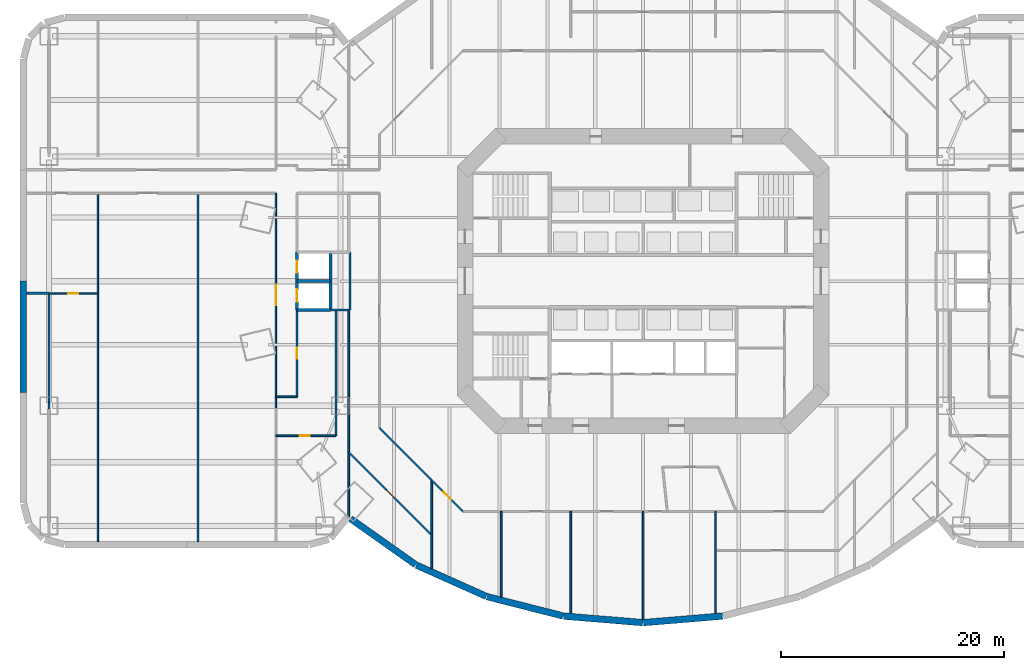
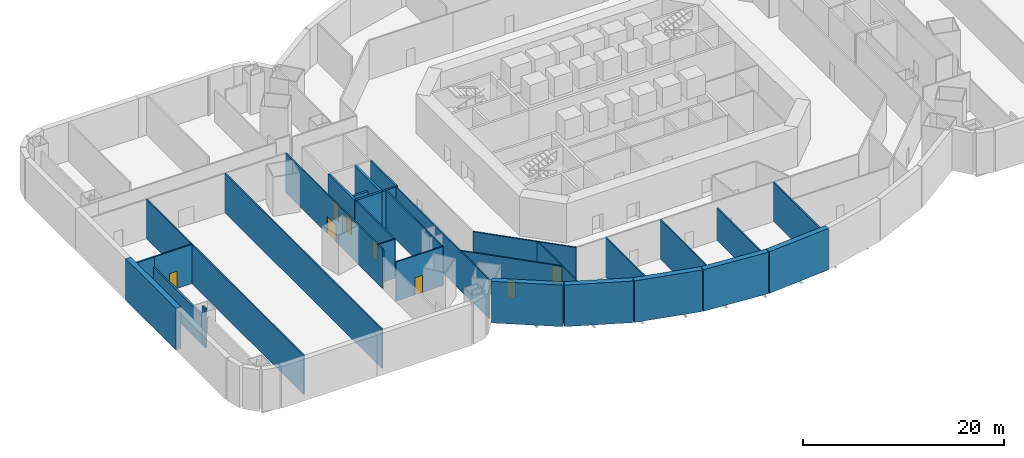
# One storey, part 3 of 11: 32 walls, 8 doors, 8 openings.
"""IFC4 building model written with IfcOpenShell, lengths in metres."""

from ifc_helpers import new_model, si_unit, direction, frame, frame_2d, origin, place, context, subcontext, project, spatial, rectangle, extrude, material, layer, layer_set, type_object, element, fill, save


model = new_model("IFC4")

# Units and contexts
model_context = context("Model", 3, precision=1e-05, world=origin(), true_north=direction((0.0, 1.0)))
body_context = subcontext(model_context, "Body", "Model", "MODEL_VIEW")
ifc_project = project(units=[si_unit("LENGTHUNIT", "METRE"), si_unit("AREAUNIT", "SQUARE_METRE"), si_unit("VOLUMEUNIT", "CUBIC_METRE"), si_unit("PLANEANGLEUNIT", "RADIAN"), si_unit("MASSUNIT", "GRAM", prefix="KILO")], contexts=[model_context])

# Site, building, storey
site_placement = place(None, origin())
site = spatial("IfcSite", under=ifc_project, at=site_placement, CompositionType="ELEMENT")
building_placement = place(site_placement, origin())
building = spatial("IfcBuilding", under=site, at=building_placement, Name="Marenthal Gate Tower", CompositionType="ELEMENT")
storey_placement = place(building_placement, frame((0.0, 0.0, -5.0)))
storey = spatial("IfcBuildingStorey", under=building, at=storey_placement, Name="B1", CompositionType="ELEMENT", Elevation=-5.0)

# Walls
ifc_material_1 = material(Name="Concrete 50 MPa", Category="concrete")
ifc_layer_1 = layer(ifc_material_1, 0.60009765625)
ifc_layer_set_1 = layer_set([ifc_layer_1], Name="BASEMENT WALL 600")
wall_type_1 = type_object("IfcWallType", Name="BASEMENT WALL 600", PredefinedType="SOLIDWALL", material=ifc_layer_set_1)
wall_1_placement = place(storey_placement, frame((-26.287841796875, -21.361083984375, -0.300048828125), z_axis=(0.0, 0.0, 1.0), x_axis=(0.816760146212, -0.576977350994, 0.0)))
element("IfcWall", 1, at=wall_1_placement, inside=storey, type_object=wall_type_1, Name="BW-B1-01", PredefinedType="SOLIDWALL", context=body_context, shape_type="SweptSolid", body=[
    extrude(rectangle(XDim=7.16796875, YDim=0.60009765625, at=frame_2d((3.583984375, 0.0))), origin(), (0.0, 0.0, 1.0), 5.050048828125),
])
wall_2_placement = place(storey_placement, frame((-20.384521484375, -25.52490234375, -0.300048828125), z_axis=(0.0, 0.0, 1.0), x_axis=(0.912664491664, -0.408709585959, 0.0)))
element("IfcWall", 2, at=wall_2_placement, inside=storey, type_object=wall_type_1, Name="BW-B1-02", PredefinedType="SOLIDWALL", context=body_context, shape_type="SweptSolid", body=[
    extrude(rectangle(XDim=6.90283203125, YDim=0.60009765625, at=frame_2d((3.451416015625, 0.0))), origin(), (0.0, 0.0, 1.0), 5.050048828125),
])
wall_3_placement = place(storey_placement, frame((-14.037353515625, -28.36279296875, -0.300048828125), z_axis=(0.0, 0.0, 1.0), x_axis=(0.96919567172, -0.246292001332, 0.0)))
element("IfcWall", 3, at=wall_3_placement, inside=storey, type_object=wall_type_1, Name="BW-B1-03", PredefinedType="SOLIDWALL", context=body_context, shape_type="SweptSolid", body=[
    extrude(rectangle(XDim=7.061767578125, YDim=0.60009765625, at=frame_2d((3.53076171875, 0.0))), origin(), (0.0, 0.0, 1.0), 5.050048828125),
])
wall_4_placement = place(storey_placement, frame((-7.1455078125, -30.110107421875, -0.300048828125), z_axis=(0.0, 0.0, 1.0), x_axis=(0.996609324414, -0.082279125491, 0.0)))
element("IfcWall", 4, at=wall_4_placement, inside=storey, type_object=wall_type_1, Name="BW-B1-04", PredefinedType="SOLIDWALL", context=body_context, shape_type="SweptSolid", body=[
    extrude(rectangle(XDim=7.14501953125, YDim=0.60009765625, at=frame_2d((3.572509765625, 0.0))), origin(), (0.0, 0.0, 1.0), 5.050048828125),
])
wall_5_placement = place(storey_placement, frame((0.02294921875, -30.697998046875, -0.300048828125), z_axis=(0.0, 0.0, 1.0), x_axis=(0.99661235683, 0.082242386961, 0.0)))
element("IfcWall", 5, at=wall_5_placement, inside=storey, type_object=wall_type_1, Name="BW-B1-05", PredefinedType="SOLIDWALL", context=body_context, shape_type="SweptSolid", body=[
    extrude(rectangle(XDim=7.145263671875, YDim=0.60009765625, at=frame_2d((3.57275390625, 0.0))), origin(), (0.0, 0.0, 1.0), 5.050048828125),
])
wall_6_placement = place(storey_placement, frame((-55.699951171875, -0.00048828125, -0.300048828125), z_axis=(0.0, 0.0, 1.0), x_axis=(0.0, -1.0, 0.0)))
element("IfcWall", 6, at=wall_6_placement, inside=storey, type_object=wall_type_1, Name="BW-B1-44", PredefinedType="SOLIDWALL", context=body_context, shape_type="SweptSolid", body=[
    extrude(rectangle(XDim=9.98974609375, YDim=0.60009765625, at=frame_2d((4.994873046875, 0.0))), origin(), (0.0, 0.0, 1.0), 5.050048828125),
])
ifc_material_2 = material(Name="Concrete 40 MPa", Category="concrete")
ifc_layer_2 = layer(ifc_material_2, 0.25)
ifc_layer_set_2 = layer_set([ifc_layer_2], Name="Hoistway wall 250")
wall_type_2 = type_object("IfcWallType", Name="Hoistway wall 250", PredefinedType="STANDARD", material=ifc_layer_set_2)
wall_7_placement = place(storey_placement, frame((-31.10009765625, -2.60009765625, 0.0), z_axis=(0.0, 0.0, 1.0), x_axis=(1.0, 0.0, 0.0)))
element("IfcWall", 7, at=wall_7_placement, inside=storey, type_object=wall_type_2, Name="Hoistway wall 47", PredefinedType="STANDARD", context=body_context, shape_type="SweptSolid", body=[
    extrude(rectangle(XDim=3.0, YDim=0.25, at=frame_2d((1.5, 0.0))), origin(), (0.0, 0.0, 1.0), 4.75),
])
wall_8_placement = place(storey_placement, frame((-31.10009765625, 0.0, 0.0), z_axis=(0.0, 0.0, 1.0), x_axis=(1.0, 0.0, 0.0)))
element("IfcWall", 8, at=wall_8_placement, inside=storey, type_object=wall_type_2, Name="Hoistway wall 49", PredefinedType="STANDARD", context=body_context, shape_type="SweptSolid", body=[
    extrude(rectangle(XDim=3.0, YDim=0.25, at=frame_2d((1.5, 0.0))), origin(), (0.0, 0.0, 1.0), 3.25),
])
wall_9_placement = place(storey_placement, frame((-28.10009765625, -2.60009765625, 0.0), z_axis=(0.0, 0.0, 1.0), x_axis=(0.0, 1.0, 0.0)))
element("IfcWall", 9, at=wall_9_placement, inside=storey, type_object=wall_type_2, Name="Hoistway wall 55", PredefinedType="STANDARD", context=body_context, shape_type="SweptSolid", body=[
    extrude(rectangle(XDim=5.2001953125, YDim=0.25, at=frame_2d((2.60009765625, 0.0))), origin(), (0.0, 0.0, 1.0), 4.75),
])

# Wall, openings, doors
wall_10_placement = place(storey_placement, frame((-31.10009765625, -2.60498046875, 0.0), z_axis=(0.0, 0.0, 1.0), x_axis=(0.0, 1.0, 0.0)))
wall_10 = element("IfcWall", 10, at=wall_10_placement, inside=storey, type_object=wall_type_2, Name="Hoistway wall 56", PredefinedType="STANDARD", context=body_context, shape_type="SweptSolid", body=[
    extrude(rectangle(XDim=5.2099609375, YDim=0.25, at=frame_2d((2.60498046875, 0.0))), origin(), (0.0, 0.0, 1.0), 4.75),
])
opening_1_placement = place(wall_10_placement, frame((0.7548828125, 0.0, 0.0)))
opening_1 = element("IfcOpeningElement", 11, at=opening_1_placement, cuts=wall_10, Name="Opening LD.03", PredefinedType="OPENING", context=body_context, shape_type="SweptSolid", body=[
    extrude(rectangle(XDim=1.10009765625, YDim=2.10009765625, at=frame_2d((0.550048828125, 1.050048828125))), frame((0.0, 0.135009765625, 0.0), z_axis=(0.0, -1.0, 0.0), x_axis=(1.0, 0.0, 0.0)), (0.0, 0.0, 1.0), 0.27001953125),
])
opening_2_placement = place(wall_10_placement, frame((3.35498046875, 0.0, 0.0)))
opening_2 = element("IfcOpeningElement", 12, at=opening_2_placement, cuts=wall_10, Name="Opening LD.04", PredefinedType="OPENING", context=body_context, shape_type="SweptSolid", body=[
    extrude(rectangle(XDim=1.10009765625, YDim=2.10009765625, at=frame_2d((0.550048828125, 1.050048828125))), frame((0.0, 0.135009765625, 0.0), z_axis=(0.0, -1.0, 0.0), x_axis=(1.0, 0.0, 0.0)), (0.0, 0.0, 1.0), 0.27001953125),
])
ifc_material_3 = material(Name="Stainless steel sliding door", Category="steel")
door_type_1 = type_object("IfcDoorType", Name="Lift landing door FD 90 1100 x 2100", OperationType="DOUBLE_DOOR_SLIDING", PredefinedType="DOOR", material=ifc_material_3)
door_1_placement = place(opening_1_placement, origin())
door_1 = element("IfcDoor", 13, at=door_1_placement, inside=storey, type_object=door_type_1, Name="Lift landing door 03", OperationType="DOUBLE_DOOR_SLIDING", OverallHeight=2.10009765625, OverallWidth=1.10009765625, PredefinedType="DOOR", context=body_context, shape_type="SweptSolid", body=[
    extrude(rectangle(XDim=1.10009765625, YDim=2.10009765625, at=frame_2d((0.550048828125, 1.050048828125))), frame((0.0, 0.02490234375, 0.0), z_axis=(0.0, -1.0, 0.0), x_axis=(1.0, 0.0, 0.0)), (0.0, 0.0, 1.0), 0.050048828125),
])
fill(opening_1, door_1)
door_2_placement = place(opening_2_placement, origin())
door_2 = element("IfcDoor", 14, at=door_2_placement, inside=storey, type_object=door_type_1, Name="Lift landing door 04", OperationType="DOUBLE_DOOR_SLIDING", OverallHeight=2.10009765625, OverallWidth=1.10009765625, PredefinedType="DOOR", context=body_context, shape_type="SweptSolid", body=[
    extrude(rectangle(XDim=1.10009765625, YDim=2.10009765625, at=frame_2d((0.550048828125, 1.050048828125))), frame((0.0, 0.02490234375, 0.0), z_axis=(0.0, -1.0, 0.0), x_axis=(1.0, 0.0, 0.0)), (0.0, 0.0, 1.0), 0.050048828125),
])
fill(opening_2, door_2)

# Wall, opening, door
ifc_material_4 = material(Name="Gypsum board on steel studs", Category="steel")
ifc_layer_3 = layer(ifc_material_4, 0.14990234375)
ifc_layer_set_3 = layer_set([ifc_layer_3], Name="Partition 150")
wall_type_3 = type_object("IfcWallType", Name="Partition 150", PredefinedType="PARTITIONING", material=ifc_layer_set_3)
wall_11_placement = place(storey_placement, frame((-53.405029296875, -1.10009765625, 0.0), z_axis=(0.0, 0.0, 1.0), x_axis=(1.0, 0.0, 0.0)))
wall_11 = element("IfcWall", 15, at=wall_11_placement, inside=storey, type_object=wall_type_3, Name="Partition wall 57", PredefinedType="PARTITIONING", context=body_context, shape_type="SweptSolid", body=[
    extrude(rectangle(XDim=4.405029296875, YDim=0.14990234375, at=frame_2d((2.20263671875, 0.0))), origin(), (0.0, 0.0, 1.0), 4.75),
])
opening_3_placement = place(wall_11_placement, frame((1.7548828125, 0.0, 0.0)))
opening_3 = element("IfcOpeningElement", 16, at=opening_3_placement, cuts=wall_11, Name="Opening D010.01", PredefinedType="OPENING", context=body_context, shape_type="SweptSolid", body=[
    extrude(rectangle(XDim=0.89990234375, YDim=2.10009765625, at=frame_2d((0.449951171875, 1.050048828125))), frame((0.0, 0.0849609375, 0.0), z_axis=(0.0, -1.0, 0.0), x_axis=(1.0, 0.0, 0.0)), (0.0, 0.0, 1.0), 0.169921875),
])
ifc_material_5 = material(Name="Steel fire door", Category="steel")
door_type_2 = type_object("IfcDoorType", Name="Fire door FD 45 900 x 2100", OperationType="NOTDEFINED", PredefinedType="DOOR", material=ifc_material_5)
door_3_placement = place(opening_3_placement, origin())
door_3 = element("IfcDoor", 17, at=door_3_placement, inside=storey, type_object=door_type_2, Name="Door D010.01", OperationType="SINGLE_SWING_RIGHT", OverallHeight=2.10009765625, OverallWidth=0.89990234375, PredefinedType="DOOR", context=body_context, shape_type="SweptSolid", body=[
    extrude(rectangle(XDim=0.89990234375, YDim=2.10009765625, at=frame_2d((0.449951171875, 1.050048828125))), frame((0.0, 0.02490234375, 0.0), z_axis=(0.0, -1.0, 0.0), x_axis=(1.0, 0.0, 0.0)), (0.0, 0.0, 1.0), 0.050048828125),
])
fill(opening_3, door_3)

wall_12_placement = place(storey_placement, frame((-33.0, -11.43994140625, 0.0), z_axis=(0.0, 0.0, 1.0), x_axis=(0.0, 1.0, 0.0)))
wall_12 = element("IfcWall", 18, at=wall_12_placement, inside=storey, type_object=wall_type_3, Name="Partition wall 156", PredefinedType="PARTITIONING", context=body_context, shape_type="SweptSolid", body=[
    extrude(rectangle(XDim=19.344970703125, YDim=0.14990234375, at=frame_2d((9.67236328125, 0.0))), origin(), (0.0, 0.0, 1.0), 4.75),
])
opening_4_placement = place(wall_12_placement, frame((9.2900390625, 0.0, 0.0)))
opening_4 = element("IfcOpeningElement", 19, at=opening_4_placement, cuts=wall_12, Name="Opening D007.02", PredefinedType="OPENING", context=body_context, shape_type="SweptSolid", body=[
    extrude(rectangle(XDim=1.800048828125, YDim=2.10009765625, at=frame_2d((0.89990234375, 1.050048828125))), frame((0.0, 0.0849609375, 0.0), z_axis=(0.0, -1.0, 0.0), x_axis=(1.0, 0.0, 0.0)), (0.0, 0.0, 1.0), 0.169921875),
])
ifc_material_6 = material(Name="Steel fire door", Category="steel")
door_type_3 = type_object("IfcDoorType", Name="Double fire door FD 45 1800 x 2100", OperationType="DOUBLE_DOOR_SINGLE_SWING", PredefinedType="DOOR", material=ifc_material_6)
door_4_placement = place(opening_4_placement, origin())
door_4 = element("IfcDoor", 20, at=door_4_placement, inside=storey, type_object=door_type_3, Name="Door D007.02", OperationType="DOUBLE_DOOR_SINGLE_SWING", OverallHeight=2.10009765625, OverallWidth=1.800048828125, PredefinedType="DOOR", context=body_context, shape_type="SweptSolid", body=[
    extrude(rectangle(XDim=1.800048828125, YDim=2.10009765625, at=frame_2d((0.89990234375, 1.050048828125))), frame((0.0, 0.02490234375, 0.0), z_axis=(0.0, -1.0, 0.0), x_axis=(1.0, 0.0, 0.0)), (0.0, 0.0, 1.0), 0.050048828125),
])
fill(opening_4, door_4)

# Walls
for number, where, z_axis, x_axis, name in (
    (21, (-40.0, -23.409912109375, 0.0), (0.0, 0.0, 1.0), (0.0, 1.0, 0.0), "Partition wall 75"),
    (22, (-49.0, -23.409912109375, 0.0), (0.0, 0.0, 1.0), (0.0, 1.0, 0.0), "Partition wall 77"),
):
    element("IfcWall", number, at=place(storey_placement, frame(where, z_axis=z_axis, x_axis=x_axis)), inside=storey, type_object=wall_type_3, Name=name, PredefinedType="PARTITIONING", context=body_context, shape_type="SweptSolid", body=[
        extrude(rectangle(XDim=31.309814453125, YDim=0.14990234375, at=frame_2d((15.65478515625, 0.0))), origin(), (0.0, 0.0, 1.0), 4.75),
    ])

# Wall, opening, door
wall_13_placement = place(storey_placement, frame((-33.0, -13.89990234375, 0.0), z_axis=(0.0, 0.0, 1.0), x_axis=(1.0, 0.0, 0.0)))
wall_13 = element("IfcWall", 23, at=wall_13_placement, inside=storey, type_object=wall_type_3, Name="Partition wall 81", PredefinedType="PARTITIONING", context=body_context, shape_type="SweptSolid", body=[
    extrude(rectangle(XDim=5.39990234375, YDim=0.14990234375, at=frame_2d((2.699951171875, 0.0))), origin(), (0.0, 0.0, 1.0), 4.75),
])
opening_5_placement = place(wall_13_placement, frame((2.14990234375, 0.0, 0.0)))
opening_5 = element("IfcOpeningElement", 24, at=opening_5_placement, cuts=wall_13, Name="Opening D011.01", PredefinedType="OPENING", context=body_context, shape_type="SweptSolid", body=[
    extrude(rectangle(XDim=0.89990234375, YDim=2.10009765625, at=frame_2d((0.449951171875, 1.050048828125))), frame((0.0, 0.0849609375, 0.0), z_axis=(0.0, -1.0, 0.0), x_axis=(1.0, 0.0, 0.0)), (0.0, 0.0, 1.0), 0.169921875),
])
ifc_material_7 = material(Name="Timber door", Category="wood")
door_type_4 = type_object("IfcDoorType", Name="Door 900 x 2100", OperationType="NOTDEFINED", PredefinedType="DOOR", material=ifc_material_7)
door_5_placement = place(opening_5_placement, origin())
door_5 = element("IfcDoor", 25, at=door_5_placement, inside=storey, type_object=door_type_4, Name="Door D011.01", OperationType="SINGLE_SWING_RIGHT", OverallHeight=2.10009765625, OverallWidth=0.89990234375, PredefinedType="DOOR", context=body_context, shape_type="SweptSolid", body=[
    extrude(rectangle(XDim=0.89990234375, YDim=2.10009765625, at=frame_2d((0.449951171875, 1.050048828125))), frame((0.0, 0.02490234375, 0.0), z_axis=(0.0, -1.0, 0.0), x_axis=(1.0, 0.0, 0.0)), (0.0, 0.0, 1.0), 0.050048828125),
])
fill(opening_5, door_5)

# Walls
wall_14_placement = place(storey_placement, frame((-33.0, -10.39990234375, 0.0), z_axis=(0.0, 0.0, 1.0), x_axis=(1.0, 0.0, 0.0)))
element("IfcWall", 26, at=wall_14_placement, inside=storey, type_object=wall_type_3, Name="Partition wall 83", PredefinedType="PARTITIONING", context=body_context, shape_type="SweptSolid", body=[
    extrude(rectangle(XDim=1.89990234375, YDim=0.14990234375, at=frame_2d((0.949951171875, 0.0))), origin(), (0.0, 0.0, 1.0), 4.75),
])
wall_15_placement = place(storey_placement, frame((-26.449951171875, -21.222412109375, 0.0), z_axis=(0.0, 0.0, 1.0), x_axis=(0.0, 1.0, 0.0)))
element("IfcWall", 27, at=wall_15_placement, inside=storey, type_object=wall_type_3, Name="Partition wall 09", PredefinedType="PARTITIONING", context=body_context, shape_type="SweptSolid", body=[
    extrude(rectangle(XDim=18.622314453125, YDim=0.14990234375, at=frame_2d((9.31103515625, 0.0))), origin(), (0.0, 0.0, 1.0), 4.75),
])
wall_16_placement = place(storey_placement, frame((-27.60009765625, -13.89990234375, 0.0), z_axis=(0.0, 0.0, 1.0), x_axis=(0.0, 1.0, 0.0)))
element("IfcWall", 28, at=wall_16_placement, inside=storey, type_object=wall_type_3, Name="Partition wall 10", PredefinedType="PARTITIONING", context=body_context, shape_type="SweptSolid", body=[
    extrude(rectangle(XDim=11.2998046875, YDim=0.14990234375, at=frame_2d((5.64990234375, 0.0))), origin(), (0.0, 0.0, 1.0), 4.75),
])

# Wall, opening, door
wall_17_placement = place(storey_placement, frame((-31.10009765625, -10.39990234375, 0.0), z_axis=(0.0, 0.0, 1.0), x_axis=(0.0, 1.0, 0.0)))
wall_17 = element("IfcWall", 29, at=wall_17_placement, inside=storey, type_object=wall_type_3, Name="Partition wall 11", PredefinedType="PARTITIONING", context=body_context, shape_type="SweptSolid", body=[
    extrude(rectangle(XDim=7.804931640625, YDim=0.14990234375, at=frame_2d((3.90234375, 0.0))), origin(), (0.0, 0.0, 1.0), 4.75),
])
opening_6_placement = place(wall_17_placement, frame((3.39990234375, 0.0, 0.0)))
opening_6 = element("IfcOpeningElement", 30, at=opening_6_placement, cuts=wall_17, Name="Opening D012.01", PredefinedType="OPENING", context=body_context, shape_type="SweptSolid", body=[
    extrude(rectangle(XDim=1.0, YDim=2.10009765625, at=frame_2d((0.5, 1.050048828125))), frame((0.0, 0.0849609375, 0.0), z_axis=(0.0, -1.0, 0.0), x_axis=(1.0, 0.0, 0.0)), (0.0, 0.0, 1.0), 0.169921875),
])
ifc_material_8 = material(Name="Timber door", Category="wood")
door_type_5 = type_object("IfcDoorType", Name="Door 1000 x 2100", OperationType="NOTDEFINED", PredefinedType="DOOR", material=ifc_material_8)
door_6_placement = place(opening_6_placement, frame((1.0, 0.0, 0.0), z_axis=(0.0, 0.0, 1.0), x_axis=(-1.0, 0.0, 0.0)))
door_6 = element("IfcDoor", 31, at=door_6_placement, inside=storey, type_object=door_type_5, Name="Door D012.01", OperationType="SINGLE_SWING_LEFT", OverallHeight=2.10009765625, OverallWidth=1.0, PredefinedType="DOOR", context=body_context, shape_type="SweptSolid", body=[
    extrude(rectangle(XDim=1.0, YDim=2.10009765625, at=frame_2d((0.5, 1.050048828125))), frame((0.0, 0.02490234375, 0.0), z_axis=(0.0, -1.0, 0.0), x_axis=(1.0, 0.0, 0.0)), (0.0, 0.0, 1.0), 0.050048828125),
])
fill(opening_6, door_6)

# Wall
wall_18_placement = place(storey_placement, frame((-18.9951171875, -17.894287109375, 0.0), z_axis=(0.0, 0.0, 1.0), x_axis=(-0.707106781187, 0.707106781187, 0.0)))
element("IfcWall", 32, at=wall_18_placement, inside=storey, type_object=wall_type_3, Name="Partition wall 14", PredefinedType="PARTITIONING", context=body_context, shape_type="SweptSolid", body=[
    extrude(rectangle(XDim=6.653564453125, YDim=0.14990234375, at=frame_2d((3.32666015625, 0.0))), origin(), (0.0, 0.0, 1.0), 4.75),
])

# Wall, opening, door
wall_19_placement = place(storey_placement, frame((-19.0, -22.839111328125, 0.0), z_axis=(0.0, 0.0, 1.0), x_axis=(-0.707106781187, 0.707106781187, 0.0)))
wall_19 = element("IfcWall", 33, at=wall_19_placement, inside=storey, type_object=wall_type_3, Name="Partition wall 15", PredefinedType="PARTITIONING", context=body_context, shape_type="SweptSolid", body=[
    extrude(rectangle(XDim=10.535888671875, YDim=0.14990234375, at=frame_2d((5.26806640625, 0.0))), origin(), (0.0, 0.0, 1.0), 4.75),
])
opening_7_placement = place(wall_19_placement, frame((4.81787109375, 0.0, 0.0)))
opening_7 = element("IfcOpeningElement", 34, at=opening_7_placement, cuts=wall_19, Name="Opening D011.02", PredefinedType="OPENING", context=body_context, shape_type="SweptSolid", body=[
    extrude(rectangle(XDim=0.89990234375, YDim=2.10009765625, at=frame_2d((0.449951171875, 1.050048828125))), frame((0.0, 0.0849609375, 0.0), z_axis=(0.0, -1.0, 0.0), x_axis=(1.0, 0.0, 0.0)), (0.0, 0.0, 1.0), 0.169921875),
])
door_7_placement = place(opening_7_placement, origin())
door_7 = element("IfcDoor", 35, at=door_7_placement, inside=storey, type_object=door_type_4, Name="Door D011.02", OperationType="SINGLE_SWING_RIGHT", OverallHeight=2.10009765625, OverallWidth=0.89990234375, PredefinedType="DOOR", context=body_context, shape_type="SweptSolid", body=[
    extrude(rectangle(XDim=0.89990234375, YDim=2.10009765625, at=frame_2d((0.449951171875, 1.050048828125))), frame((0.0, 0.02490234375, 0.0), z_axis=(0.0, -1.0, 0.0), x_axis=(1.0, 0.0, 0.0)), (0.0, 0.0, 1.0), 0.050048828125),
])
fill(opening_7, door_7)

# Walls
ifc_material_9 = material(Name="Gypsum board on steel studs", Category="steel")
ifc_layer_4 = layer(ifc_material_9, 0.199951171875)
ifc_layer_set_4 = layer_set([ifc_layer_4], Name="Partition 200")
wall_type_4 = type_object("IfcWallType", Name="Partition 200", PredefinedType="PARTITIONING", material=ifc_layer_set_4)
wall_20_placement = place(storey_placement, frame((-28.10009765625, -2.60009765625, 0.0), z_axis=(0.0, 0.0, 1.0), x_axis=(1.0, 0.0, 0.0)))
element("IfcWall", 36, at=wall_20_placement, inside=storey, type_object=wall_type_4, Name="Partition wall 18", PredefinedType="PARTITIONING", context=body_context, shape_type="SweptSolid", body=[
    extrude(rectangle(XDim=1.77001953125, YDim=0.199951171875, at=frame_2d((0.885009765625, 0.0))), origin(), (0.0, 0.0, 1.0), 4.75),
])
wall_21_placement = place(storey_placement, frame((-55.409912109375, -1.10009765625, 0.0), z_axis=(0.0, 0.0, 1.0), x_axis=(1.0, 0.0, 0.0)))
element("IfcWall", 37, at=wall_21_placement, inside=storey, type_object=wall_type_4, Name="Partition wall 20", PredefinedType="PARTITIONING", context=body_context, shape_type="SweptSolid", body=[
    extrude(rectangle(XDim=2.014892578125, YDim=0.199951171875, at=frame_2d((1.00732421875, 0.0))), origin(), (0.0, 0.0, 1.0), 4.75),
])
wall_22_placement = place(storey_placement, frame((-26.330078125, -2.60009765625, 0.0), z_axis=(0.0, 0.0, 1.0), x_axis=(0.0, 1.0, 0.0)))
element("IfcWall", 38, at=wall_22_placement, inside=storey, type_object=wall_type_4, Name="Partition wall 38", PredefinedType="PARTITIONING", context=body_context, shape_type="SweptSolid", body=[
    extrude(rectangle(XDim=5.2001953125, YDim=0.199951171875, at=frame_2d((2.60009765625, 0.0))), origin(), (0.0, 0.0, 1.0), 4.75),
])
wall_23_placement = place(storey_placement, frame((-53.39990234375, -11.5, 0.0), z_axis=(0.0, 0.0, 1.0), x_axis=(0.0, 1.0, 0.0)))
element("IfcWall", 39, at=wall_23_placement, inside=storey, type_object=wall_type_4, Name="Partition wall 169", PredefinedType="PARTITIONING", context=body_context, shape_type="SweptSolid", body=[
    extrude(rectangle(XDim=0.60009765625, YDim=0.199951171875, at=frame_2d((0.300048828125, 0.0))), origin(), (0.0, 0.0, 1.0), 4.75),
])
wall_24_placement = place(storey_placement, frame((-53.39990234375, -10.89990234375, 0.0), z_axis=(0.0, 0.0, 1.0), x_axis=(0.0, 1.0, 0.0)))
element("IfcWall", 40, at=wall_24_placement, inside=storey, type_object=wall_type_4, Name="Partition wall 170", PredefinedType="PARTITIONING", context=body_context, shape_type="SweptSolid", body=[
    extrude(rectangle(XDim=9.7998046875, YDim=0.199951171875, at=frame_2d((4.89990234375, 0.0))), origin(), (0.0, 0.0, 1.0), 3.550048828125),
])
ifc_material_10 = material(Name="Gypsum board on steel studs", Category="steel")
ifc_layer_5 = layer(ifc_material_10, 0.14990234375)
ifc_layer_set_5 = layer_set([ifc_layer_5], Name="Wet room partition 150")
wall_type_5 = type_object("IfcWallType", Name="Wet room partition 150", PredefinedType="PARTITIONING", material=ifc_layer_set_5)
wall_25_placement = place(storey_placement, frame((6.5, -29.87109375, 0.0), z_axis=(0.0, 0.0, 1.0), x_axis=(0.0, 1.0, 0.0)))
element("IfcWall", 41, at=wall_25_placement, inside=storey, type_object=wall_type_5, Name="Wet wall 47", PredefinedType="PARTITIONING", context=body_context, shape_type="SweptSolid", body=[
    extrude(rectangle(XDim=9.171142578125, YDim=0.14990234375, at=frame_2d((4.58544921875, 0.0))), origin(), (0.0, 0.0, 1.0), 4.75),
])
wall_26_placement = place(storey_placement, frame((0.0, -30.409912109375, 0.0), z_axis=(0.0, 0.0, 1.0), x_axis=(0.0, 1.0, 0.0)))
element("IfcWall", 42, at=wall_26_placement, inside=storey, type_object=wall_type_5, Name="Wet wall 48", PredefinedType="PARTITIONING", context=body_context, shape_type="SweptSolid", body=[
    extrude(rectangle(XDim=9.7099609375, YDim=0.14990234375, at=frame_2d((4.85498046875, 0.0))), origin(), (0.0, 0.0, 1.0), 3.908935546875),
])
wall_27_placement = place(storey_placement, frame((-6.5, -29.87109375, 0.0), z_axis=(0.0, 0.0, 1.0), x_axis=(0.0, 1.0, 0.0)))
element("IfcWall", 43, at=wall_27_placement, inside=storey, type_object=wall_type_5, Name="Wet wall 49", PredefinedType="PARTITIONING", context=body_context, shape_type="SweptSolid", body=[
    extrude(rectangle(XDim=9.171142578125, YDim=0.14990234375, at=frame_2d((4.58544921875, 0.0))), origin(), (0.0, 0.0, 1.0), 4.75),
])
wall_28_placement = place(storey_placement, frame((-12.75, -28.3994140625, 0.0), z_axis=(0.0, 0.0, 1.0), x_axis=(0.0, 1.0, 0.0)))
element("IfcWall", 44, at=wall_28_placement, inside=storey, type_object=wall_type_5, Name="Wet wall 50", PredefinedType="PARTITIONING", context=body_context, shape_type="SweptSolid", body=[
    extrude(rectangle(XDim=7.699462890625, YDim=0.14990234375, at=frame_2d((3.849609375, 0.0))), origin(), (0.0, 0.0, 1.0), 4.75),
])
wall_29_placement = place(storey_placement, frame((-19.0, -25.835205078125, 0.0), z_axis=(0.0, 0.0, 1.0), x_axis=(0.0, 1.0, 0.0)))
element("IfcWall", 45, at=wall_29_placement, inside=storey, type_object=wall_type_5, Name="Wet wall 51", PredefinedType="PARTITIONING", context=body_context, shape_type="SweptSolid", body=[
    extrude(rectangle(XDim=7.94580078125, YDim=0.14990234375, at=frame_2d((3.972900390625, 0.0))), origin(), (0.0, 0.0, 1.0), 4.75),
])

# Wall, opening, door
wall_30_placement = place(storey_placement, frame((-16.189453125, -20.699951171875, 0.0), z_axis=(0.0, 0.0, 1.0), x_axis=(-0.707106781187, 0.707106781187, 0.0)))
wall_30 = element("IfcWall", 46, at=wall_30_placement, inside=storey, type_object=wall_type_5, Name="Wet wall 54", PredefinedType="PARTITIONING", context=body_context, shape_type="SweptSolid", body=[
    extrude(rectangle(XDim=3.9794921875, YDim=0.14990234375, at=frame_2d((1.98974609375, 0.0))), origin(), (0.0, 0.0, 1.0), 4.75),
])
opening_8_placement = place(wall_30_placement, frame((1.4873046875, 0.0, 0.0)))
opening_8 = element("IfcOpeningElement", 47, at=opening_8_placement, cuts=wall_30, Name="Opening D012.03", PredefinedType="OPENING", context=body_context, shape_type="SweptSolid", body=[
    extrude(rectangle(XDim=1.0, YDim=2.10009765625, at=frame_2d((0.5, 1.050048828125))), frame((0.0, 0.0849609375, 0.0), z_axis=(0.0, -1.0, 0.0), x_axis=(1.0, 0.0, 0.0)), (0.0, 0.0, 1.0), 0.169921875),
])
door_8_placement = place(opening_8_placement, origin())
door_8 = element("IfcDoor", 48, at=door_8_placement, inside=storey, type_object=door_type_5, Name="Door D012.03", OperationType="SINGLE_SWING_RIGHT", OverallHeight=2.10009765625, OverallWidth=1.0, PredefinedType="DOOR", context=body_context, shape_type="SweptSolid", body=[
    extrude(rectangle(XDim=1.0, YDim=2.10009765625, at=frame_2d((0.5, 1.050048828125))), frame((0.0, 0.02490234375, 0.0), z_axis=(0.0, -1.0, 0.0), x_axis=(1.0, 0.0, 0.0)), (0.0, 0.0, 1.0), 0.050048828125),
])
fill(opening_8, door_8)

save(model, "model.ifc")
